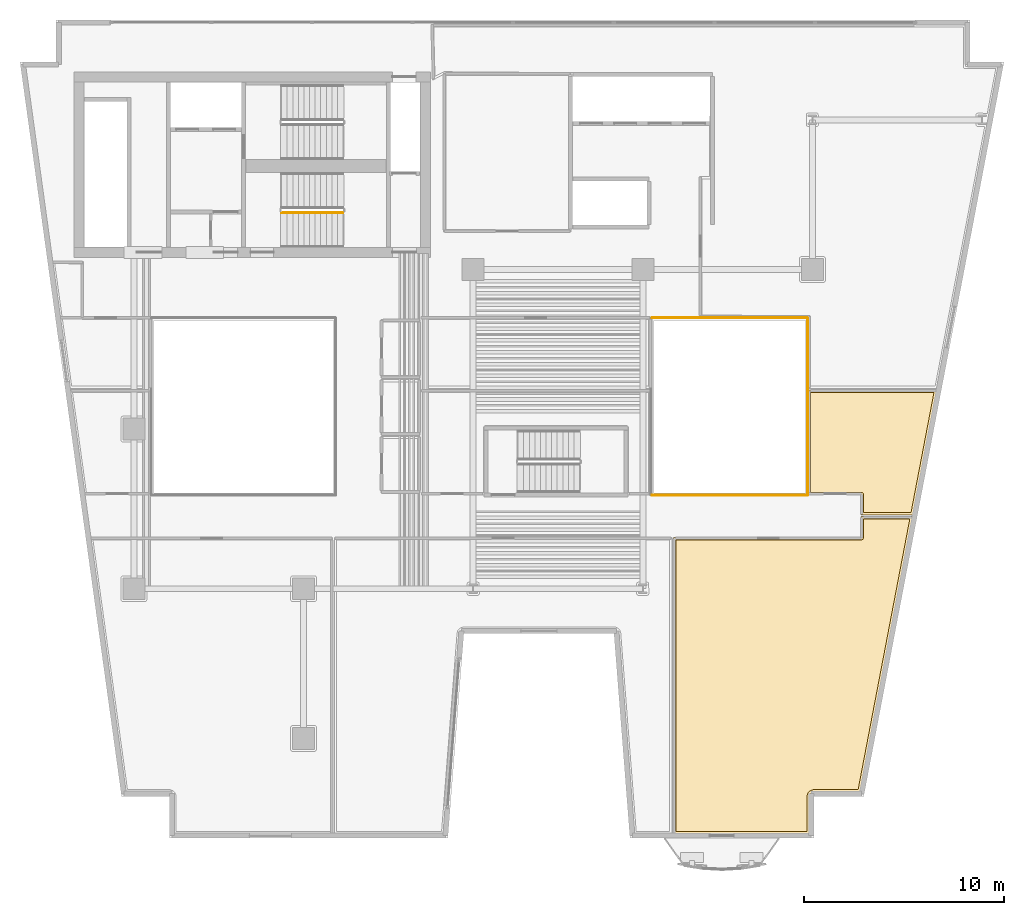
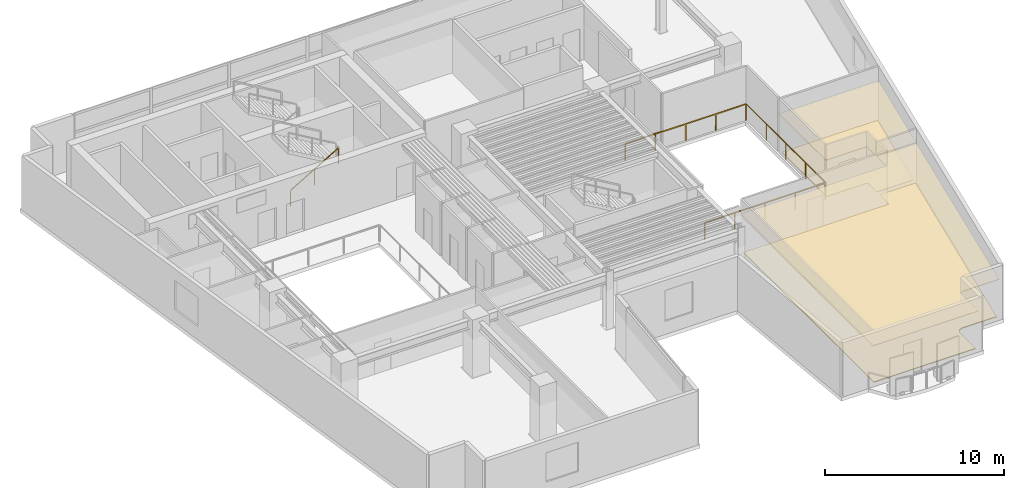
# One storey, part 11 of 13: 4 coverings, 4 railings.
"""IFC4 building model written with IfcOpenShell, lengths in metres."""

from ifc_helpers import new_model, si_unit, direction, frame, origin, origin_2d, place, context, subcontext, project, spatial, polyline, rectangle, outline, extrude, material, layer, layer_set, type_object, element, save


model = new_model("IFC4")

# Units and contexts
model_context = context("Model", 3, precision=1e-05, world=origin(), true_north=direction((0.0, 1.0)))
body_context = subcontext(model_context, "Body", "Model", "MODEL_VIEW")
ifc_project = project(units=[si_unit("LENGTHUNIT", "METRE"), si_unit("AREAUNIT", "SQUARE_METRE"), si_unit("VOLUMEUNIT", "CUBIC_METRE"), si_unit("PLANEANGLEUNIT", "RADIAN"), si_unit("MASSUNIT", "GRAM", prefix="KILO")], contexts=[model_context])

# Site, building, storey
site_placement = place(None, origin())
site = spatial("IfcSite", under=ifc_project, at=site_placement, CompositionType="ELEMENT")
building_placement = place(site_placement, origin())
building = spatial("IfcBuilding", under=site, at=building_placement, Name="Caeloran Harvest Quay", CompositionType="ELEMENT")
storey_placement = place(building_placement, frame((0.0, 0.0, 143.0)))
storey = spatial("IfcBuildingStorey", under=building, at=storey_placement, Name="L33", CompositionType="ELEMENT", Elevation=143.0)

# Coverings
ifc_material_1 = material(Name="Perforated Mineral-Fibre Acoustic Ceiling Tile", Category="ceiling")
ifc_layer_1 = layer(ifc_material_1, 0.0400390625, Name="Perforated Mineral-Fibre Acoustic Ceiling Tile")
ifc_layer_set_1 = layer_set([ifc_layer_1], Name="Perforated Mineral-Fibre Acoustic Ceiling Tile")
covering_type_1 = type_object("IfcCoveringType", Name="COV-CEILING-ACOUSTIC", PredefinedType="CEILING", material=ifc_layer_set_1)
covering_1_placement = place(storey_placement, frame((0.0, 0.0, 2.60009765625)))
element("IfcCovering", 1, at=covering_1_placement, inside=storey, type_object=covering_type_1, Name="Food Texture Sensory Laboratory Acoustic Ceiling", PredefinedType="CEILING", context=body_context, shape_type="SweptSolid", body=[
    extrude(outline(polyline([(44.93994140625, 17.56005859375), (44.93994140625, 18.610107421875), (47.522705078125, 18.610107421875), (44.888916015625, 4.820068359375), (42.571044921875, 4.820068359375), (42.506103515625, 4.810546875), (42.430419921875, 4.77001953125), (42.36669921875, 4.68408203125), (42.35009765625, 4.59912109375), (42.35009765625, 2.719970703125), (35.5400390625, 2.719970703125), (35.5400390625, 17.56005859375), (44.93994140625, 17.56005859375)])), origin(), (0.0, 0.0, 1.0), 0.039794921875),
])
covering_2_placement = place(storey_placement, frame((0.0, 0.0, 2.60009765625)))
element("IfcCovering", 2, at=covering_2_placement, inside=storey, type_object=covering_type_1, Name="Bioreactor Pilot Hall Acoustic Ceiling", PredefinedType="CEILING", context=body_context, shape_type="SweptSolid", body=[
    extrude(outline(polyline([(44.93994140625, 19.7099609375), (42.2900390625, 19.7099609375), (42.2900390625, 24.9599609375), (48.7353515625, 24.9599609375), (47.537841796875, 18.68994140625), (44.93994140625, 18.68994140625), (44.93994140625, 19.7099609375)])), origin(), (0.0, 0.0, 1.0), 0.039794921875),
])
ifc_material_2 = material(Name="Calcium-Sulphate Raised Access Floor and Terrazzo Finish", Category="flooring")
ifc_layer_2 = layer(ifc_material_2, 0.050048828125, Name="Calcium-Sulphate Raised Access Floor and Terrazzo Finish")
ifc_layer_set_2 = layer_set([ifc_layer_2], Name="Calcium-Sulphate Raised Access Floor and Terrazzo Finish")
covering_type_2 = type_object("IfcCoveringType", Name="COV-FLOOR-RAISED", PredefinedType="FLOORING", material=ifc_layer_set_2)
covering_3_placement = place(storey_placement, origin())
element("IfcCovering", 3, at=covering_3_placement, inside=storey, type_object=covering_type_2, Name="Food Texture Sensory Laboratory Raised Finish Flooring", PredefinedType="FLOORING", context=body_context, shape_type="SweptSolid", body=[
    extrude(outline(polyline([(44.97802734375, 17.443603515625), (45.037353515625, 17.4833984375), (45.059814453125, 17.543212890625), (45.06005859375, 18.489990234375), (47.37744140625, 18.489990234375), (44.789794921875, 4.93994140625), (42.566162109375, 4.93994140625), (42.357421875, 4.865234375), (42.268310546875, 4.7568359375), (42.231201171875, 4.62939453125), (42.22998046875, 2.840087890625), (35.659912109375, 2.840087890625), (35.659912109375, 17.43994140625), (44.97802734375, 17.443603515625)])), origin(), (0.0, 0.0, 1.0), 0.050048828125),
])
covering_4_placement = place(storey_placement, origin())
element("IfcCovering", 4, at=covering_4_placement, inside=storey, type_object=covering_type_2, Name="Bioreactor Pilot Hall Raised Finish Flooring", PredefinedType="FLOORING", context=body_context, shape_type="SweptSolid", body=[
    extrude(outline(polyline([(45.056396484375, 19.748046875), (45.0166015625, 19.807373046875), (44.953857421875, 19.829833984375), (42.409912109375, 19.830078125), (42.409912109375, 24.840087890625), (48.59033203125, 24.840087890625), (47.438720703125, 18.81005859375), (45.06005859375, 18.81005859375), (45.056396484375, 19.748046875)])), origin(), (0.0, 0.0, 1.0), 0.050048828125),
])

# Railings
ifc_material_3 = material(Name="Powder-Coated Steel Post and Laminated Glass Guardrail", Category="steel")
ifc_layer_3 = layer(ifc_material_3, 0.06005859375, Name="Powder-Coated Steel Post and Laminated Glass Guardrail")
ifc_layer_set_3 = layer_set([ifc_layer_3], Name="Powder-Coated Steel Post and Laminated Glass Guardrail")
railing_type_1 = type_object("IfcRailingType", Name="GUARD-ATRIUM-1150", PredefinedType="GUARDRAIL", material=ifc_layer_set_3)
railing_1_placement = place(storey_placement, frame((34.4619140625, 19.679931640625, 0.0)))
element("IfcRailing", 5, at=railing_1_placement, inside=storey, type_object=railing_type_1, Name="L33 East Botanical Lightwell Guardrail Seg 1", PredefinedType="GUARDRAIL", context=body_context, shape_type="SweptSolid", body=[
    extrude(rectangle(XDim=0.048095703125, YDim=0.048095703125, at=origin_2d()), frame((0.0, 0.0, 1.1259765625), z_axis=(1.0, 0.0, 0.0), x_axis=(0.0, 1.0, 0.0)), (0.0, 0.0, 1.0), 7.776123046875),
    extrude(rectangle(XDim=0.0419921875, YDim=0.0419921875, at=origin_2d()), origin(), (0.0, 0.0, 1.0), 1.101806640625),
    extrude(rectangle(XDim=0.0419921875, YDim=0.0419921875, at=origin_2d()), frame((1.944091796875, 0.0, 0.0)), (0.0, 0.0, 1.0), 1.101806640625),
    extrude(rectangle(XDim=0.0419921875, YDim=0.0419921875, at=origin_2d()), frame((3.88818359375, 0.0, 0.0)), (0.0, 0.0, 1.0), 1.101806640625),
    extrude(rectangle(XDim=0.0419921875, YDim=0.0419921875, at=origin_2d()), frame((5.83203125, 0.0, 0.0)), (0.0, 0.0, 1.0), 1.101806640625),
    extrude(rectangle(XDim=0.0419921875, YDim=0.0419921875, at=origin_2d()), frame((7.776123046875, 0.0, 0.0)), (0.0, 0.0, 1.0), 1.101806640625),
])
railing_2_placement = place(storey_placement, frame((42.27001953125, 19.7119140625, 0.0)))
element("IfcRailing", 6, at=railing_2_placement, inside=storey, type_object=railing_type_1, Name="L33 East Botanical Lightwell Guardrail Seg 2", PredefinedType="GUARDRAIL", context=body_context, shape_type="SweptSolid", body=[
    extrude(rectangle(XDim=0.048095703125, YDim=0.048095703125, at=origin_2d()), frame((0.0, 0.0, 1.1259765625), z_axis=(0.0, 1.0, 0.0), x_axis=(-1.0, 0.0, 0.0)), (0.0, 0.0, 1.0), 8.826171875),
    extrude(rectangle(XDim=0.0419921875, YDim=0.0419921875, at=origin_2d()), origin(), (0.0, 0.0, 1.0), 1.101806640625),
    extrude(rectangle(XDim=0.0419921875, YDim=0.0419921875, at=origin_2d()), frame((0.0, 2.20654296875, 0.0)), (0.0, 0.0, 1.0), 1.101806640625),
    extrude(rectangle(XDim=0.0419921875, YDim=0.0419921875, at=origin_2d()), frame((0.0, 4.4130859375, 0.0)), (0.0, 0.0, 1.0), 1.101806640625),
    extrude(rectangle(XDim=0.0419921875, YDim=0.0419921875, at=origin_2d()), frame((0.0, 6.61962890625, 0.0)), (0.0, 0.0, 1.0), 1.101806640625),
    extrude(rectangle(XDim=0.0419921875, YDim=0.0419921875, at=origin_2d()), frame((0.0, 8.826171875, 0.0)), (0.0, 0.0, 1.0), 1.101806640625),
])
railing_3_placement = place(storey_placement, frame((42.238037109375, 28.570068359375, 0.0)))
element("IfcRailing", 7, at=railing_3_placement, inside=storey, type_object=railing_type_1, Name="L33 East Botanical Lightwell Guardrail Seg 3", PredefinedType="GUARDRAIL", context=body_context, shape_type="SweptSolid", body=[
    extrude(rectangle(XDim=0.048095703125, YDim=0.048095703125, at=origin_2d()), frame((0.0, 0.0, 1.1259765625), z_axis=(-1.0, 0.0, 0.0), x_axis=(0.0, -1.0, 0.0)), (0.0, 0.0, 1.0), 7.776123046875),
    extrude(rectangle(XDim=0.0419921875, YDim=0.0419921875, at=origin_2d()), origin(), (0.0, 0.0, 1.0), 1.101806640625),
    extrude(rectangle(XDim=0.0419921875, YDim=0.0419921875, at=origin_2d()), frame((-1.944091796875, 0.0, 0.0)), (0.0, 0.0, 1.0), 1.101806640625),
    extrude(rectangle(XDim=0.0419921875, YDim=0.0419921875, at=origin_2d()), frame((-3.88818359375, 0.0, 0.0)), (0.0, 0.0, 1.0), 1.101806640625),
    extrude(rectangle(XDim=0.0419921875, YDim=0.0419921875, at=origin_2d()), frame((-5.83203125, 0.0, 0.0)), (0.0, 0.0, 1.0), 1.101806640625),
    extrude(rectangle(XDim=0.0419921875, YDim=0.0419921875, at=origin_2d()), frame((-7.776123046875, 0.0, 0.0)), (0.0, 0.0, 1.0), 1.101806640625),
])
ifc_material_4 = material(Name="Painted Steel Baluster and Top-Rail Stair Guard", Category="steel")
ifc_layer_4 = layer(ifc_material_4, 0.050048828125, Name="Painted Steel Baluster and Top-Rail Stair Guard")
ifc_layer_set_4 = layer_set([ifc_layer_4], Name="Painted Steel Baluster and Top-Rail Stair Guard")
railing_type_2 = type_object("IfcRailingType", Name="STAIR-GUARD-1100", PredefinedType="GUARDRAIL", material=ifc_layer_set_4)
railing_4_placement = place(storey_placement, frame((15.89990234375, 33.85009765625, 0.16455078125)))
element("IfcRailing", 8, at=railing_4_placement, inside=storey, type_object=railing_type_2, Name="L33 ST-C2 stair guard 1", PredefinedType="GUARDRAIL", context=body_context, shape_type="SweptSolid", body=[
    extrude(rectangle(XDim=0.048095703125, YDim=0.048095703125, at=origin_2d()), frame((0.0, 0.0, 1.076171875), z_axis=(0.862088758681, 0.0, 0.506757310905), x_axis=(0.0, 1.0, 0.0)), (0.0, 0.0, 1.0), 3.57275390625),
    extrude(rectangle(XDim=0.0419921875, YDim=0.0419921875, at=origin_2d()), origin(), (0.0, 0.0, 1.0), 1.052001953125),
    extrude(rectangle(XDim=0.0419921875, YDim=0.0419921875, at=origin_2d()), frame((1.5400390625, 0.0, 0.9052734375)), (0.0, 0.0, 1.0), 1.052001953125),
    extrude(rectangle(XDim=0.0419921875, YDim=0.0419921875, at=origin_2d()), frame((3.080078125, 0.0, 1.810546875)), (0.0, 0.0, 1.0), 1.052001953125),
])

save(model, "model.ifc")
